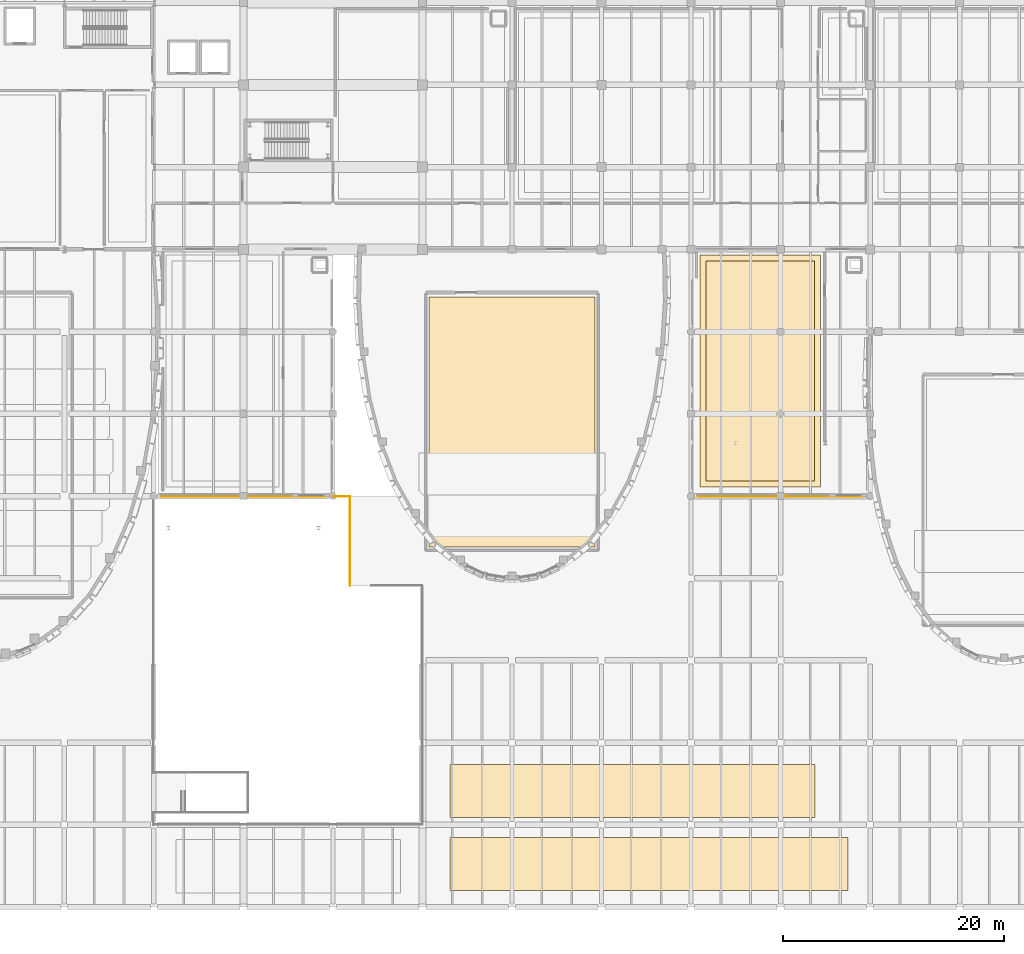
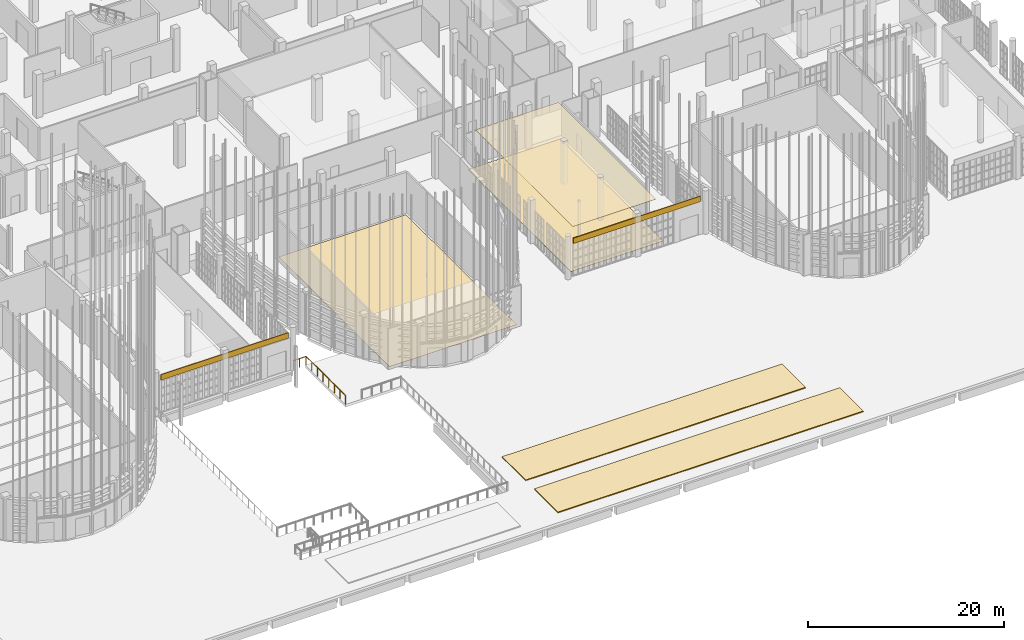
# One storey, part 362 of 372: 7 coverings, 2 railings.
"""IFC4 building model written with IfcOpenShell, lengths in metres."""

from ifc_helpers import new_model, si_unit, direction, frame, origin, origin_2d, place, context, subcontext, project, spatial, polyline, rectangle, circle, outline, extrude, material, layer, layer_set, type_object, element, save


model = new_model("IFC4")

# Units and contexts
model_context = context("Model", 3, precision=1e-05, world=origin(), true_north=direction((0.0, 1.0)))
body_context = subcontext(model_context, "Body", "Model", "MODEL_VIEW")
ifc_project = project(units=[si_unit("LENGTHUNIT", "METRE"), si_unit("AREAUNIT", "SQUARE_METRE"), si_unit("VOLUMEUNIT", "CUBIC_METRE"), si_unit("PLANEANGLEUNIT", "RADIAN"), si_unit("MASSUNIT", "GRAM", prefix="KILO")], contexts=[model_context])

# Site, building, storey
site_placement = place(None, origin())
site = spatial("IfcSite", under=ifc_project, at=site_placement, CompositionType="ELEMENT")
building_placement = place(site_placement, origin())
building = spatial("IfcBuilding", under=site, at=building_placement, Name="Kaelora Sail Theatre", CompositionType="ELEMENT")
storey_placement = place(building_placement, origin())
storey = spatial("IfcBuildingStorey", under=building, at=storey_placement, Name="L00", CompositionType="ELEMENT", Elevation=0.0)

# Coverings
ifc_material_1 = material(Name="Micro-perforated timber acoustic reflector", Category="wood")
ifc_layer_1 = layer(ifc_material_1, 0.050048828125)
ifc_layer_set_1 = layer_set([ifc_layer_1], Name="Micro-perforated timber acoustic reflector")
covering_type_1 = type_object("IfcCoveringType", Name="ARC-COV-CLG-AC-50", PredefinedType="CEILING", material=ifc_layer_set_1)
covering_1_placement = place(storey_placement, frame((0.0, 0.0, 5.070068359375)))
element("IfcCovering", 1, at=covering_1_placement, inside=storey, type_object=covering_type_1, Name="Acoustic ceiling L00-FOY-INTER2", PredefinedType="CEILING", context=body_context, shape_type="SweptSolid", body=[
    extrude(outline(polyline([(108.14990234375, 40.050048828125), (117.949951171875, 40.050048828125), (117.949951171875, 59.949951171875), (108.14990234375, 59.949951171875), (108.14990234375, 40.050048828125)])), origin(), (0.0, 0.0, 1.0), 0.050048828125),
])
ifc_material_2 = material(Name="Sprung West African iroko stage and dance floor", Category="timber")
ifc_layer_2 = layer(ifc_material_2, 0.028076171875)
ifc_layer_set_2 = layer_set([ifc_layer_2], Name="Sprung West African iroko stage and dance floor")
covering_type_2 = type_object("IfcCoveringType", Name="ARC-COV-FLR-OAK-28", PredefinedType="FLOORING", material=ifc_layer_set_2)
covering_2_placement = place(storey_placement, origin())
element("IfcCovering", 2, at=covering_2_placement, inside=storey, type_object=covering_type_2, Name="Architectural flooring L00-AUD-STUD", PredefinedType="FLOORING", context=body_context, shape_type="SweptSolid", body=[
    extrude(outline(polyline([(83.10009765625, 34.10009765625), (98.10009765625, 34.10009765625), (98.10009765625, 56.699951171875), (83.10009765625, 56.699951171875), (83.10009765625, 34.10009765625)])), origin(), (0.0, 0.0, 1.0), 0.028076171875),
])
ifc_material_3 = material(Name="Polished basalt-terrazzo foyer flooring", Category="masonry")
ifc_layer_3 = layer(ifc_material_3, 0.031982421875)
ifc_layer_set_3 = layer_set([ifc_layer_3], Name="Polished basalt-terrazzo foyer flooring")
covering_type_3 = type_object("IfcCoveringType", Name="ARC-COV-FLR-TRZ-32", PredefinedType="FLOORING", material=ifc_layer_set_3)
covering_3_placement = place(storey_placement, origin())
element("IfcCovering", 3, at=covering_3_placement, inside=storey, type_object=covering_type_3, Name="Architectural flooring L00-FOY-INTER2", PredefinedType="FLOORING", context=body_context, shape_type="SweptSolid", body=[
    extrude(outline(polyline([(107.60009765625, 39.5), (118.5, 39.5), (118.5, 60.5), (107.60009765625, 60.5), (107.60009765625, 39.5)])), origin(), (0.0, 0.0, 1.0), 0.031982421875),
])
ifc_material_4 = material(Name="Planted roof garden and green foliage terrace bed", Category="earth")
ifc_layer_4 = layer(ifc_material_4, 0.1201171875)
ifc_layer_set_4 = layer_set([ifc_layer_4], Name="Planted roof garden and green foliage terrace bed")
covering_type_4 = type_object("IfcCoveringType", Name="ARC-COV-GRN", PredefinedType="ROOFING", material=ifc_layer_set_4)
covering_4_placement = place(storey_placement, origin())
element("IfcCovering", 4, at=covering_4_placement, inside=storey, type_object=covering_type_4, Name="South Civic Podium Planted Garden Terrace POD-GRN-E1", PredefinedType="ROOFING", context=body_context, shape_type="SweptSolid", body=[
    extrude(outline(polyline([(85.0, 3.0), (121.0, 3.0), (121.0, 7.800048828125), (85.0, 7.800048828125), (85.0, 3.0)])), origin(), (0.0, 0.0, 1.0), 0.1201171875),
])
covering_5_placement = place(storey_placement, origin())
element("IfcCovering", 5, at=covering_5_placement, inside=storey, type_object=covering_type_4, Name="South Civic Podium Planted Garden Terrace POD-GRN-E2", PredefinedType="ROOFING", context=body_context, shape_type="SweptSolid", body=[
    extrude(outline(polyline([(85.0, 9.60009765625), (118.0, 9.60009765625), (118.0, 14.39990234375), (85.0, 14.39990234375), (85.0, 9.60009765625)])), origin(), (0.0, 0.0, 1.0), 0.1201171875),
])
ifc_material_5 = material(Name="Warm terracotta acoustic Postmodern facade entablature", Category="masonry")
ifc_layer_5 = layer(ifc_material_5, 0.06494140625)
ifc_layer_set_5 = layer_set([ifc_layer_5], Name="Warm terracotta acoustic Postmodern facade entablature")
covering_type_5 = type_object("IfcCoveringType", Name="ARC-COV-TRC", PredefinedType="CLADDING", material=ifc_layer_set_5)
for number, where, z_axis, x_axis, name in (
    (6, (66.300048828125, 38.679931640625, 4.10986328125), (0.0, 0.0, 1.0), (1.0, 0.0, 0.0), "Postmodern Terracotta Portal Entablature FOY1"),
    (7, (114.89990234375, 38.679931640625, 4.10986328125), (0.0, 0.0, 1.0), (1.0, 0.0, 0.0), "Postmodern Terracotta Portal Entablature FOY2"),
):
    element("IfcCovering", number, at=place(storey_placement, frame(where, z_axis=z_axis, x_axis=x_axis)), inside=storey, type_object=covering_type_5, Name=name, PredefinedType="CLADDING", context=body_context, shape_type="SweptSolid", body=[
        extrude(rectangle(XDim=15.0, YDim=0.080078125, at=origin_2d()), origin(), (0.0, 0.0, 1.0), 0.679931640625),
    ])

# Railings
ifc_material_6 = material(Name="Stainless steel 316L and laminated glass balustrade", Category="steel")
railing_type = type_object("IfcRailingType", Name="ARC-RL-TER", PredefinedType="GUARDRAIL", material=ifc_material_6)
railing_1_placement = place(storey_placement, frame((74.39990234375, 38.659912109375, 0.0)))
element("IfcRailing", 8, at=railing_1_placement, inside=storey, type_object=railing_type, Name="Sunken Metro Forecourt Balustrade COURT-N-RMP", PredefinedType="GUARDRAIL", context=body_context, shape_type="SweptSolid", body=[
    extrude(circle(Radius=0.02392578125, at=origin_2d()), frame((0.0, 0.0, 1.076171875), z_axis=(1.0, 0.0, 0.0), x_axis=(0.0, 1.0, 0.0)), (0.0, 0.0, 1.0), 1.47998046875),
    extrude(circle(Radius=0.02099609375, at=origin_2d()), origin(), (0.0, 0.0, 1.0), 1.052001953125),
    extrude(circle(Radius=0.02099609375, at=origin_2d()), frame((0.739990234375, 0.0, 0.0)), (0.0, 0.0, 1.0), 1.052001953125),
    extrude(circle(Radius=0.02099609375, at=origin_2d()), frame((1.47998046875, 0.0, 0.0)), (0.0, 0.0, 1.0), 1.052001953125),
])
railing_2_placement = place(storey_placement, frame((75.919921875, 30.60009765625, 0.0)))
element("IfcRailing", 9, at=railing_2_placement, inside=storey, type_object=railing_type, Name="Sunken Metro Forecourt Balustrade RMP-TOP-W", PredefinedType="GUARDRAIL", context=body_context, shape_type="SweptSolid", body=[
    extrude(circle(Radius=0.02392578125, at=origin_2d()), frame((0.0, 0.0, 1.076171875), z_axis=(0.0, 1.0, 0.0), x_axis=(-1.0, 0.0, 0.0)), (0.0, 0.0, 1.0), 8.059814453125),
    extrude(circle(Radius=0.02099609375, at=origin_2d()), origin(), (0.0, 0.0, 1.0), 1.052001953125),
    extrude(circle(Radius=0.02099609375, at=origin_2d()), frame((0.0, 1.1513671875, 0.0)), (0.0, 0.0, 1.0), 1.052001953125),
    extrude(circle(Radius=0.02099609375, at=origin_2d()), frame((0.0, 2.302734375, 0.0)), (0.0, 0.0, 1.0), 1.052001953125),
    extrude(circle(Radius=0.02099609375, at=origin_2d()), frame((0.0, 3.4541015625, 0.0)), (0.0, 0.0, 1.0), 1.052001953125),
    extrude(circle(Radius=0.02099609375, at=origin_2d()), frame((0.0, 4.605712890625, 0.0)), (0.0, 0.0, 1.0), 1.052001953125),
    extrude(circle(Radius=0.02099609375, at=origin_2d()), frame((0.0, 5.757080078125, 0.0)), (0.0, 0.0, 1.0), 1.052001953125),
    extrude(circle(Radius=0.02099609375, at=origin_2d()), frame((0.0, 6.908447265625, 0.0)), (0.0, 0.0, 1.0), 1.052001953125),
    extrude(circle(Radius=0.02099609375, at=origin_2d()), frame((0.0, 8.059814453125, 0.0)), (0.0, 0.0, 1.0), 1.052001953125),
])

save(model, "model.ifc")
